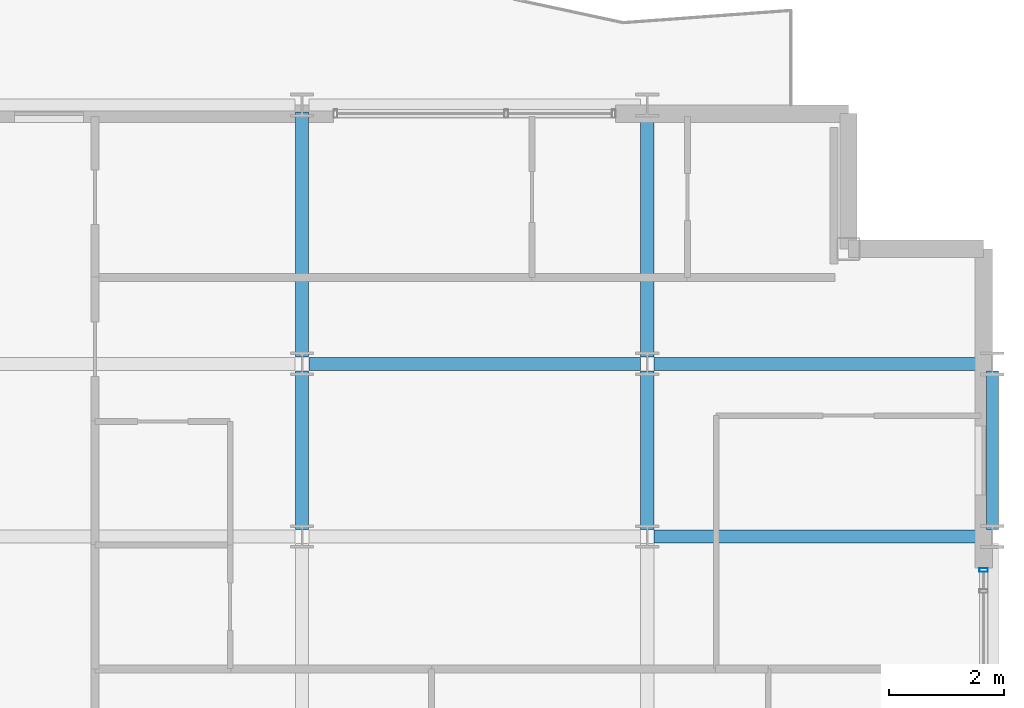
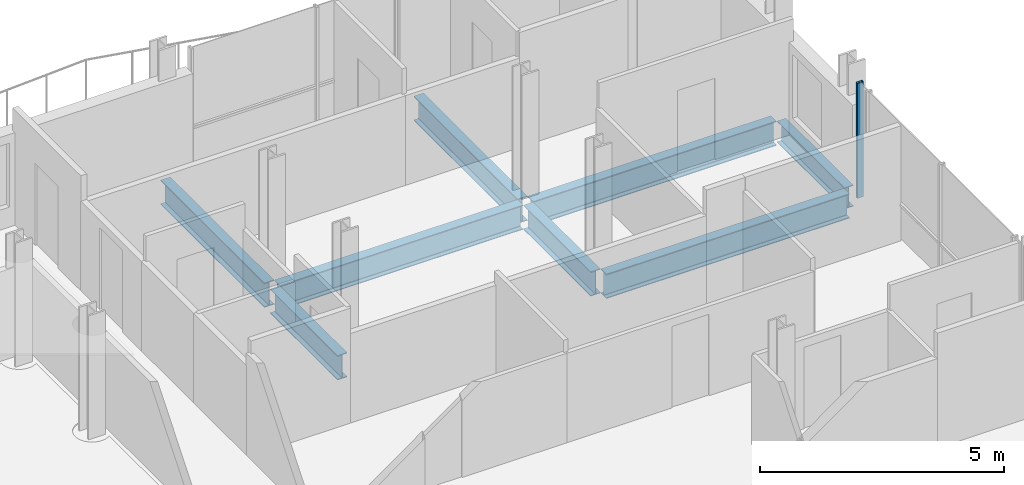
# One storey, part 22 of 41: 8 beams, 1 member, 1 element without a shape of its own.
"""IFC4 building model written with IfcOpenShell, lengths in metres."""

import ifcopenshell
import ifcopenshell.guid

model = None  # the IFC model being written
_history = None  # IfcOwnerHistory: only IFC2X3 demands one
_inside = {}  # id of a spatial element -> (the spatial element, [elements in it])
_under = {}  # id of a project, library or spatial element -> (it, [spatial elements below it])
_declared = {}  # id of a project -> (the project, [libraries it declares])
_typed = {}  # id of a type object -> (the type object, [elements of that type])
_made_of = {}  # id of a material, layer set ... -> (it, [elements and type objects made of it])


def new_model(schema):
    """Start an empty IFC model of exactly this schema.

    Asked for "IFC4X3", IfcOpenShell would pick the latest addendum, in which some entities
    have other attributes; the version numbers below select the first issue.
    IFC2X3 requires an IfcOwnerHistory on every rooted entity: one is made here for all.
    """
    global model, _history
    if schema == "IFC4X3":
        model = ifcopenshell.file(schema_version=(4, 3, 0, 0))
    else:
        model = ifcopenshell.file(schema=schema)
    _inside.clear()
    _under.clear()
    _declared.clear()
    _typed.clear()
    _made_of.clear()
    _history = None
    if model.schema == "IFC2X3":
        org = make("IfcOrganization", Name="unknown")
        user = make(
            "IfcPersonAndOrganization",
            ThePerson=make("IfcPerson", FamilyName="unknown"),
            TheOrganization=org,
        )
        app = make(
            "IfcApplication",
            ApplicationDeveloper=org,
            Version="unknown",
            ApplicationFullName="unknown",
            ApplicationIdentifier="unknown",
        )
        _history = make(
            "IfcOwnerHistory",
            OwningUser=user,
            OwningApplication=app,
            ChangeAction="ADDED",
            CreationDate=0,
        )
    return model


def make(cls, **values):
    """One entity of the class cls with the attributes given. An attribute that is None is left unset."""
    return model.create_entity(
        cls, **{name: value for name, value in values.items() if value is not None}
    )


def rooted(cls, **values):
    """An entity with a GlobalId (a new one), such as an element, a storey or a relation."""
    return make(cls, GlobalId=ifcopenshell.guid.new(), OwnerHistory=_history, **values)


def si_unit(unit_type, name, prefix=None):
    """IfcSIUnit, for example si_unit("LENGTHUNIT", "METRE", prefix="MILLI")."""
    return make("IfcSIUnit", UnitType=unit_type, Prefix=prefix, Name=name)


def assignment(units):
    """IfcUnitAssignment: the units of a project."""
    return None if units is None else make("IfcUnitAssignment", Units=units)


def point(xyz):
    """IfcCartesianPoint."""
    return None if xyz is None else make("IfcCartesianPoint", Coordinates=xyz)


def direction(xyz):
    """IfcDirection."""
    return None if xyz is None else make("IfcDirection", DirectionRatios=xyz)


def frame(location, z_axis=None, x_axis=None):
    """IfcAxis2Placement3D, a coordinate frame: its origin and axes. An axis left out is left unset."""
    return make(
        "IfcAxis2Placement3D",
        Location=point(location),
        Axis=direction(z_axis),
        RefDirection=direction(x_axis),
    )


def frame_2d(location, x_axis=None):
    """IfcAxis2Placement2D, a coordinate frame in the plane: its origin and x axis."""
    return make(
        "IfcAxis2Placement2D", Location=point(location), RefDirection=direction(x_axis)
    )


def origin():
    """The frame at (0, 0, 0) with its axes left unset."""
    return frame((0.0, 0.0, 0.0))


def origin_2d():
    """The frame at (0, 0) in the plane with its x axis left unset."""
    return frame_2d((0.0, 0.0))


def place(relative_to, where):
    """IfcLocalPlacement: puts the frame where relative to a parent placement (None: the world)."""
    return make(
        "IfcLocalPlacement", PlacementRelTo=relative_to, RelativePlacement=where
    )


def context(
    kind, dimensions, precision=None, world=None, true_north=None, identifier=None
):
    """IfcGeometricRepresentationContext, for example the 3D "Model" context."""
    return make(
        "IfcGeometricRepresentationContext",
        ContextIdentifier=identifier,
        ContextType=kind,
        CoordinateSpaceDimension=dimensions,
        Precision=precision,
        WorldCoordinateSystem=world,
        TrueNorth=true_north,
    )


def subcontext(parent, identifier, kind, view, scale=None):
    """IfcGeometricRepresentationSubContext, for example "Body" below "Model"."""
    return make(
        "IfcGeometricRepresentationSubContext",
        ContextIdentifier=identifier,
        ContextType=kind,
        ParentContext=parent,
        TargetScale=scale,
        TargetView=view,
    )


def project(units=None, contexts=None):
    """IfcProject with its units and contexts."""
    return rooted(
        "IfcProject",
        Name="project",
        RepresentationContexts=contexts,
        UnitsInContext=assignment(units),
    )


def spatial(cls, under=None, at=None, **own):
    """A site, building, storey or space (cls), placed at a placement, below another one or the project."""
    s = rooted(cls, ObjectPlacement=at, **own)
    if under is not None:
        _under.setdefault(under.id(), (under, []))[1].append(s)
    return s


def profile(cls, at=None, kind="AREA", **sizes):
    """A parametric profile (cls). Its sizes go by their IFC names, for example OverallWidth=200.0."""
    return make(cls, ProfileType=kind, Position=at, **sizes)


def hollow_rectangle(**sizes):
    """IfcRectangleHollowProfileDef."""
    return profile("IfcRectangleHollowProfileDef", **sizes)


def i_section(**sizes):
    """IfcIShapeProfileDef."""
    return profile("IfcIShapeProfileDef", **sizes)


def extrude(swept, where, along, depth):
    """IfcExtrudedAreaSolid: the profile swept, set in the frame where, extruded along a direction by depth."""
    return make(
        "IfcExtrudedAreaSolid",
        SweptArea=swept,
        Position=where,
        ExtrudedDirection=direction(along),
        Depth=depth,
    )


def shape(context_of_items, identifier, shape_type, items):
    """IfcShapeRepresentation: the items that make up one representation, for example the "Body"."""
    return make(
        "IfcShapeRepresentation",
        ContextOfItems=context_of_items,
        RepresentationIdentifier=identifier,
        RepresentationType=shape_type,
        Items=items,
    )


def material(Name=None, Category=None):
    """IfcMaterial."""
    return make("IfcMaterial", Name=Name, Category=Category)


def layer(
    of_material, thickness, ventilated=None, Name=None, Category=None, Priority=None
):
    """IfcMaterialLayer: one layer of a wall or slab, of a material (None: an air gap)."""
    return make(
        "IfcMaterialLayer",
        Material=of_material,
        LayerThickness=thickness,
        IsVentilated=ventilated,
        Name=Name,
        Category=Category,
        Priority=Priority,
    )


def layer_set(layers, Name=None):
    """IfcMaterialLayerSet."""
    return make("IfcMaterialLayerSet", MaterialLayers=layers, LayerSetName=Name)


def material_profile(
    of_material, cross_section, Name=None, Category=None, Priority=None
):
    """IfcMaterialProfile: a cross section and its material."""
    return make(
        "IfcMaterialProfile",
        Name=Name,
        Material=of_material,
        Profile=cross_section,
        Priority=Priority,
        Category=Category,
    )


def profile_set(profiles, Name=None, composite=None):
    """IfcMaterialProfileSet."""
    return make(
        "IfcMaterialProfileSet",
        Name=Name,
        MaterialProfiles=profiles,
        CompositeProfile=composite,
    )


def made_of(thing, what):
    """Note that an element or type object is made of a material, layer set ...; save() writes the relation."""
    if what is not None:
        _made_of.setdefault(what.id(), (what, []))[1].append(thing)
    return thing


def type_object(cls, material=None, **own):
    """A type object (cls), such as IfcWallType, which elements share."""
    return made_of(rooted(cls, **own), material)


def element(
    cls,
    number,
    at=None,
    inside=None,
    cuts=None,
    type_object=None,
    material=None,
    context=None,
    identifier="Body",
    shape_type=None,
    held_by="IfcProductDefinitionShape",
    body=None,
    shapes=None,
    **own,
):
    """One element of the class cls, such as IfcWall. Its Tag is "e" and its number.

    at: its placement. inside: the storey or other place that contains it. cuts: it is an
    opening in that element (IfcRelVoidsElement). A single representation is given by context,
    identifier, shape_type and body (its items); several are given by shapes. held_by: the class
    of the entity that holds the representations. save() writes the other relations.
    """
    e = rooted(cls, Tag="e%d" % number, ObjectPlacement=at, **own)
    if body is not None:
        shapes = [shape(context, identifier, shape_type, body)]
    if shapes is not None:
        e.Representation = make(held_by, Representations=shapes)
    if inside is not None:
        _inside.setdefault(inside.id(), (inside, []))[1].append(e)
    if cuts is not None:
        rooted(
            "IfcRelVoidsElement", RelatingBuildingElement=cuts, RelatedOpeningElement=e
        )
    if type_object is not None:
        _typed.setdefault(type_object.id(), (type_object, []))[1].append(e)
    return made_of(e, material)


def aggregate(whole, parts):
    """IfcRelAggregates: a whole, such as a stair, and the parts it consists of."""
    return rooted("IfcRelAggregates", RelatingObject=whole, RelatedObjects=parts)


def save(model, path):
    """Write the relations noted so far, then the file.

    IfcRelAggregates (storeys below a building ...), IfcRelContainedInSpatialStructure (elements
    in a storey), IfcRelDefinesByType, IfcRelAssociatesMaterial and IfcRelDeclares: one each for
    every whole, place, type object, material and project.
    """
    for whole, parts in _under.values():
        aggregate(whole, parts)
    for where, things in _inside.values():
        rooted(
            "IfcRelContainedInSpatialStructure",
            RelatedElements=things,
            RelatingStructure=where,
        )
    for kind, things in _typed.values():
        rooted("IfcRelDefinesByType", RelatedObjects=things, RelatingType=kind)
    for what, things in _made_of.values():
        rooted("IfcRelAssociatesMaterial", RelatedObjects=things, RelatingMaterial=what)
    for by, libraries in _declared.values():
        rooted("IfcRelDeclares", RelatingContext=by, RelatedDefinitions=libraries)
    model.write(path)


model = new_model("IFC4")

# Units and contexts
model_context = context("Model", 3, precision=1e-05, world=origin(), true_north=direction((0.0, 1.0)))
body_context = subcontext(model_context, "Body", "Model", "MODEL_VIEW")
ifc_project = project(units=[si_unit("LENGTHUNIT", "METRE"), si_unit("AREAUNIT", "SQUARE_METRE"), si_unit("VOLUMEUNIT", "CUBIC_METRE"), si_unit("PLANEANGLEUNIT", "RADIAN"), si_unit("MASSUNIT", "GRAM", prefix="KILO")], contexts=[model_context])

# Site, building, storey
site_placement = place(None, origin())
site = spatial("IfcSite", under=ifc_project, at=site_placement, CompositionType="ELEMENT")
building_placement = place(site_placement, origin())
building = spatial("IfcBuilding", under=site, at=building_placement, Name="Brevholm Reach", CompositionType="ELEMENT")
storey_placement = place(building_placement, frame((0.0, 0.0, 138.699951171875)))
storey = spatial("IfcBuildingStorey", under=building, at=storey_placement, Name="L41", CompositionType="ELEMENT", Elevation=138.699951171875)

# Beams
ifc_material_1 = material(Name="Structural Steel S355J2", Category="steel")
ifc_material_profile_1 = material_profile(ifc_material_1, i_section(OverallWidth=0.209228515625, OverallDepth=0.533203125, WebThickness=0.010009765625, FlangeThickness=0.015625, FilletRadius=0.0126953125, at=origin_2d()), Name="UKB 533x210x92")
ifc_profile_set_1 = profile_set([ifc_material_profile_1], Name="Structural Steel S355J2")
beam_type_1 = type_object("IfcBeamType", Name="BM-SP533", PredefinedType="SPANDREL", material=ifc_profile_set_1)
beam_1_placement = place(storey_placement, frame((60.0, 23.6201171875, -0.486572265625), z_axis=(0.0, 1.0, 0.0), x_axis=(-1.0, 0.0, 0.0)))
element("IfcBeam", 1, at=beam_1_placement, inside=storey, type_object=beam_type_1, Name="L41 SP-02 Framing Beam", PredefinedType="SPANDREL", context=body_context, shape_type="SweptSolid", body=[
    extrude(i_section(OverallWidth=0.209228515625, OverallDepth=0.533203125, WebThickness=0.010009765625, FlangeThickness=0.015625, FilletRadius=0.0126953125, at=origin_2d()), origin(), (0.0, 0.0, 1.0), 2.759765625),
])
ifc_material_2 = material(Name="Structural Steel S355J2", Category="steel")
ifc_material_profile_2 = material_profile(ifc_material_2, i_section(OverallWidth=0.22900390625, OverallDepth=0.6123046875, WebThickness=0.011962890625, FlangeThickness=0.01953125, FilletRadius=0.0126953125, at=origin_2d()), Name="UKB 610x229x125")
ifc_profile_set_2 = profile_set([ifc_material_profile_2], Name="Structural Steel S355J2")
beam_type_2 = type_object("IfcBeamType", Name="BM-SP610", PredefinedType="SPANDREL", material=ifc_profile_set_2)
for number, where, z_axis, x_axis, name in (
    (2, (54.1201171875, 23.5, -0.526123046875), (1.0, 0.0, 0.0), (0.0, 1.0, 0.0), "L41 SP-01 Framing Beam"),
    (3, (48.1201171875, 26.5, -0.526123046875), (1.0, 0.0, 0.0), (0.0, 1.0, 0.0), "L41 SP-01 Framing Beam"),
    (4, (54.1201171875, 26.5, -0.526123046875), (1.0, 0.0, 0.0), (0.0, 1.0, 0.0), "L41 SP-01 Framing Beam"),
):
    element("IfcBeam", number, at=place(storey_placement, frame(where, z_axis=z_axis, x_axis=x_axis)), inside=storey, type_object=beam_type_2, Name=name, PredefinedType="SPANDREL", context=body_context, shape_type="SweptSolid", body=[
        extrude(i_section(OverallWidth=0.22900390625, OverallDepth=0.6123046875, WebThickness=0.011962890625, FlangeThickness=0.01953125, FilletRadius=0.0126953125, at=origin_2d()), origin(), (0.0, 0.0, 1.0), 5.759765625),
    ])
beam_2_placement = place(storey_placement, frame((48.0, 23.6201171875, -0.526123046875), z_axis=(0.0, 1.0, 0.0), x_axis=(-1.0, 0.0, 0.0)))
element("IfcBeam", 5, at=beam_2_placement, inside=storey, type_object=beam_type_2, Name="L41 SP-01 Framing Beam", PredefinedType="SPANDREL", context=body_context, shape_type="SweptSolid", body=[
    extrude(i_section(OverallWidth=0.22900390625, OverallDepth=0.6123046875, WebThickness=0.011962890625, FlangeThickness=0.01953125, FilletRadius=0.0126953125, at=origin_2d()), origin(), (0.0, 0.0, 1.0), 2.759765625),
])
beam_3_placement = place(storey_placement, frame((48.0, 26.6201171875, -0.526123046875), z_axis=(0.0, 1.0, 0.0), x_axis=(-1.0, 0.0, 0.0)))
element("IfcBeam", 6, at=beam_3_placement, inside=storey, type_object=beam_type_2, Name="L41 SP-01 Framing Beam", PredefinedType="SPANDREL", context=body_context, shape_type="SweptSolid", body=[
    extrude(i_section(OverallWidth=0.22900390625, OverallDepth=0.6123046875, WebThickness=0.011962890625, FlangeThickness=0.01953125, FilletRadius=0.0126953125, at=origin_2d()), origin(), (0.0, 0.0, 1.0), 4.259765625),
])
beam_4_placement = place(storey_placement, frame((54.0, 23.6201171875, -0.526123046875), z_axis=(0.0, 1.0, 0.0), x_axis=(-1.0, 0.0, 0.0)))
element("IfcBeam", 7, at=beam_4_placement, inside=storey, type_object=beam_type_2, Name="L41 SP-01 Framing Beam", PredefinedType="SPANDREL", context=body_context, shape_type="SweptSolid", body=[
    extrude(i_section(OverallWidth=0.22900390625, OverallDepth=0.6123046875, WebThickness=0.011962890625, FlangeThickness=0.01953125, FilletRadius=0.0126953125, at=origin_2d()), origin(), (0.0, 0.0, 1.0), 2.759765625),
])
beam_5_placement = place(storey_placement, frame((54.0, 26.6201171875, -0.526123046875), z_axis=(0.0, 1.0, 0.0), x_axis=(-1.0, 0.0, 0.0)))
element("IfcBeam", 8, at=beam_5_placement, inside=storey, type_object=beam_type_2, Name="L41 SP-01 Framing Beam", PredefinedType="SPANDREL", context=body_context, shape_type="SweptSolid", body=[
    extrude(i_section(OverallWidth=0.22900390625, OverallDepth=0.6123046875, WebThickness=0.011962890625, FlangeThickness=0.01953125, FilletRadius=0.0126953125, at=origin_2d()), origin(), (0.0, 0.0, 1.0), 4.259765625),
])

# Curtain wall, member
ifc_material_3 = material(Name="Dark Anodised Aluminium 6063-T6 and Solar-Control Glass", Category="aluminium")
ifc_layer = layer(ifc_material_3, 0.14990234375)
ifc_layer_set = layer_set([ifc_layer], Name="Dark Anodised Aluminium 6063-T6 and Solar-Control Glass")
curtain_wall_type = type_object("IfcCurtainWallType", Name="CW-01", PredefinedType="NOTDEFINED", material=ifc_layer_set)
curtain_wall_placement = place(storey_placement, origin())
curtain_wall = element("IfcCurtainWall", 9, at=curtain_wall_placement, inside=storey, type_object=curtain_wall_type, Name="L41 Curtain Wall CW-01", PredefinedType="NOTDEFINED")
ifc_material_4 = material(Name="Dark Anodised Aluminium 6063-T6", Category="aluminium")
ifc_material_profile_3 = material_profile(ifc_material_4, hollow_rectangle(XDim=0.06494140625, YDim=0.14990234375, WallThickness=0.0048828125, InnerFilletRadius=0.0048828125, OuterFilletRadius=0.010009765625, at=origin_2d()), Name="RHS 150x65x5")
ifc_profile_set_3 = profile_set([ifc_material_profile_3], Name="Dark Anodised Aluminium 6063-T6")
member_type = type_object("IfcMemberType", Name="CWM-150", PredefinedType="MULLION", material=ifc_profile_set_3)
member_placement = place(storey_placement, frame((59.85009765625, 22.91748046875, 0.0), z_axis=(0.0, 0.0, 1.0), x_axis=(0.0, 1.0, 0.0)))
member = element("IfcMember", 10, at=member_placement, type_object=member_type, Name="CM-150 Mullion 6", PredefinedType="MULLION", context=body_context, shape_type="SweptSolid", body=[
    extrude(hollow_rectangle(XDim=0.06494140625, YDim=0.14990234375, WallThickness=0.0048828125, InnerFilletRadius=0.0048828125, OuterFilletRadius=0.010009765625, at=origin_2d()), origin(), (0.0, 0.0, 1.0), 2.880126953125),
])
aggregate(curtain_wall, [member])

save(model, "model.ifc")
